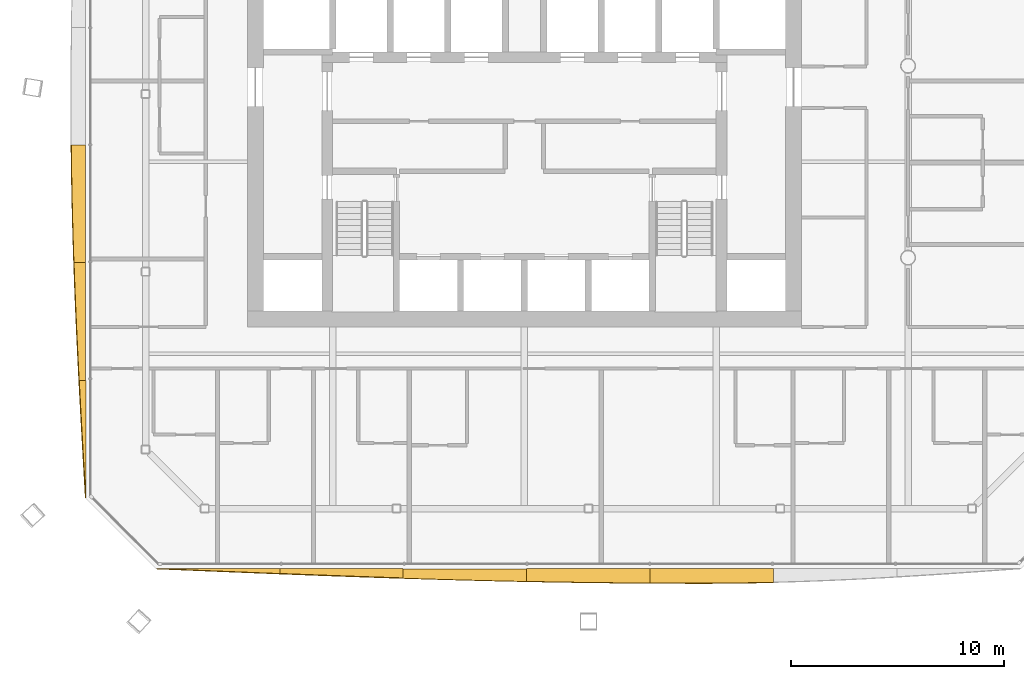
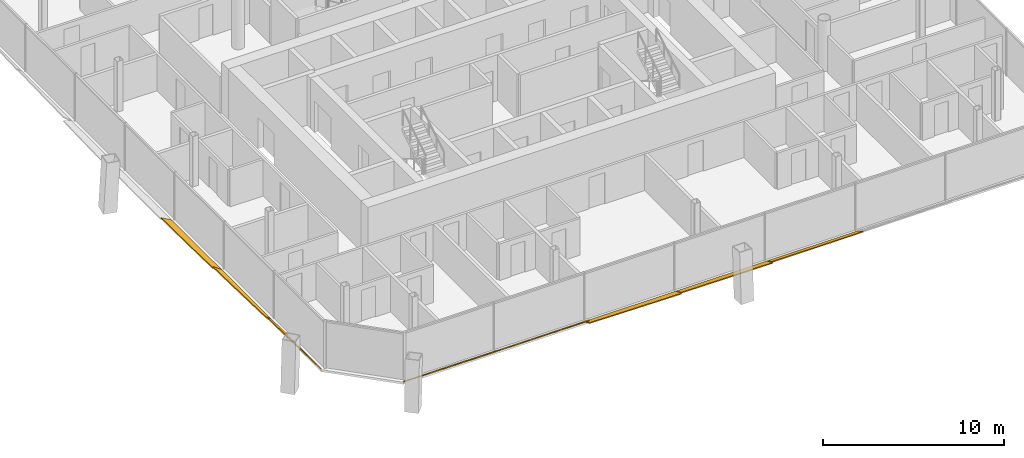
# One storey, part 17 of 21: 8 shading devices.
"""IFC4 building model written with IfcOpenShell, lengths in metres."""

from ifc_helpers import new_model, si_unit, direction, frame, origin, place, context, subcontext, project, spatial, polyline, outline, extrude, material, layer, layer_set, type_object, element, save


model = new_model("IFC4")

# Units and contexts
model_context = context("Model", 3, precision=1e-05, world=origin(), true_north=direction((0.0, 1.0)))
body_context = subcontext(model_context, "Body", "Model", "MODEL_VIEW")
ifc_project = project(units=[si_unit("LENGTHUNIT", "METRE"), si_unit("AREAUNIT", "SQUARE_METRE"), si_unit("VOLUMEUNIT", "CUBIC_METRE"), si_unit("PLANEANGLEUNIT", "RADIAN"), si_unit("MASSUNIT", "GRAM", prefix="KILO")], contexts=[model_context])

# Site, building, storey
site_placement = place(None, origin())
site = spatial("IfcSite", under=ifc_project, at=site_placement, CompositionType="ELEMENT")
building_placement = place(site_placement, origin())
building = spatial("IfcBuilding", under=site, at=building_placement, Name="Tskaro Facet Tower", CompositionType="ELEMENT")
storey_placement = place(building_placement, frame((0.0, 0.0, 128.300048828125)))
storey = spatial("IfcBuildingStorey", under=building, at=storey_placement, Name="L30", CompositionType="ELEMENT", Elevation=128.300048828125)

# Shading devices
ifc_material = material(Name="Bronze anodised aluminium 6063-T6", Category="aluminium")
ifc_layer = layer(ifc_material, 0.06005859375, Name="Bronze anodised aluminium 6063-T6")
ifc_layer_set = layer_set([ifc_layer], Name="Bronze anodised aluminium 6063-T6")
shading_device_type = type_object("IfcShadingDeviceType", Name="Bronze sun blade (FN1)", PredefinedType="USERDEFINED", material=ifc_layer_set)
shading_device_1_placement = place(storey_placement, frame((-17.27001953125, -23.58251953125, 0.049072265625), z_axis=(-7.731573e-06, 0.573672146456, 0.819085018982), x_axis=(0.99999999997, 4.435388e-06, 6.332815e-06)))
element("IfcShadingDevice", 1, at=shading_device_1_placement, inside=storey, type_object=shading_device_type, Name="Fin blade south 1", ObjectType="FIN", PredefinedType="USERDEFINED", context=body_context, shape_type="SweptSolid", body=[
    extrude(outline(polyline([(0.0, 0.0), (5.791503906076899, 0.0), (5.791503906430958, -0.28975131108948715), (5.067626953242028, -0.25486994799511226), (4.3435058585016275, -0.21930852769103054), (3.6196289054690785, -0.1835471354584804), (2.8957519530561484, -0.1472457426926084), (2.171875000179979, -0.11060432132188301), (1.4479980473038097, -0.07396289995115762), (0.7238769533394085, -0.03698144997557881), (0.0, 0.0)])), origin(), (0.0, 0.0, -1.0), 0.06005859375),
])
shading_device_2_placement = place(storey_placement, frame((-11.478515625, -23.578369140625, 0.0458984375), z_axis=(-8.873012e-06, 0.642685446668, 0.766130156411), x_axis=(0.999999999961, 5.702556e-06, 6.797882e-06)))
element("IfcShadingDevice", 2, at=shading_device_2_placement, inside=storey, type_object=shading_device_type, Name="Fin blade south 2", ObjectType="FIN", PredefinedType="USERDEFINED", context=body_context, shape_type="SweptSolid", body=[
    extrude(outline(polyline([(0.0, 0.0), (5.791259765397026, 4.905387827592592e-21), (5.791259766617867, -0.5810459005451845), (5.0673828127442375, -0.5503803692462309), (4.3435058597280065, -0.5188398962083345), (3.6196289073017605, -0.48608053230963616), (2.895751952681047, -0.45247636454058565), (2.1716308582927417, -0.41799725503259216), (1.4477539053868258, -0.38264320378565586), (0.7238769519460817, -0.34660125429500144), (1.0223752376759937e-09, -0.3098412686920384), (0.0, 0.0)])), origin(), (0.0, 0.0, -1.0), 0.06005859375),
])
shading_device_3_placement = place(storey_placement, frame((-5.687255859375, -23.596435546875, 0.056396484375), z_axis=(-5.803365e-06, 0.341907024735, 0.939733784858), x_axis=(0.999999999983, 1.984211e-06, 5.453619e-06)))
element("IfcShadingDevice", 3, at=shading_device_3_placement, inside=storey, type_object=shading_device_type, Name="Fin blade south 3", ObjectType="FIN", PredefinedType="USERDEFINED", context=body_context, shape_type="SweptSolid", body=[
    extrude(outline(polyline([(0.0, 0.0), (5.791503906152474, -1.2263986556864327e-21), (5.791503906235339, -0.6354702367725049), (5.067626952533632, -0.6193258626926215), (4.343749999922609, -0.6019508792501626), (3.6198730470708185, -0.583261813050416), (2.8957519528688396, -0.5634880912869549), (2.1718750003825398, -0.5424837601609181), (1.4479980466866198, -0.5206242006647394), (0.724121094081383, -0.49753403180598504), (-3.584693601943448e-10, -0.47358863457708855), (0.0, 0.0)])), origin(), (0.0, 0.0, -1.0), 0.06005859375),
])
shading_device_4_placement = place(storey_placement, frame((0.104248046875, -23.591552734375, 0.054443359375), z_axis=(-1.4765425e-05, 0.422448442539, 0.906386955543), x_axis=(0.999999999891, 6.237631e-06, 1.3383188e-05)))
element("IfcShadingDevice", 4, at=shading_device_4_placement, inside=storey, type_object=shading_device_type, Name="Fin blade south 4", ObjectType="FIN", PredefinedType="USERDEFINED", context=body_context, shape_type="SweptSolid", body=[
    extrude(outline(polyline([(0.0, 0.0), (5.791503905618675, 0.0), (5.791503906566178, -0.7447988219827847), (5.067626954349187, -0.738899164402226), (4.343505857796519, -0.7318049528298896), (3.619628904471217, -0.7231767523368937), (2.8957519537483107, -0.7130145629232386), (2.171874999314701, -0.7016578195178056), (1.4479980474834846, -0.6887670871917135), (0.7238769528394507, -0.6744605149960012), (-1.6229334840045614e-09, -0.6590625256353141), (0.0, 0.0)])), origin(), (0.0, 0.0, -1.0), 0.06005859375),
])
shading_device_5_placement = place(storey_placement, frame((5.895751953125, -23.5869140625, 0.052001953125), z_axis=(1.386661e-05, 0.499887675184, 0.866090244725), x_axis=(0.999999999904, -6.931747e-06, -1.2009735e-05)))
element("IfcShadingDevice", 5, at=shading_device_5_placement, inside=storey, type_object=shading_device_type, Name="Fin blade south 5", ObjectType="FIN", PredefinedType="USERDEFINED", context=body_context, shape_type="SweptSolid", body=[
    extrude(outline(polyline([(0.0, 0.0), (5.7915039056931965, 0.0), (5.791503907651023, -0.740156936240632), (5.06738281255307, -0.7585386739289425), (4.343505859083855, -0.772650308406998), (3.619628904926082, -0.7822803918611247), (2.8957519530118137, -0.7873068814018619), (2.455566405391968, -0.7881853106218051), (2.1716308585442663, -0.7881853106218051), (1.4477539058234483, -0.7867619428850535), (0.7238769534372176, -0.7839152074115502), (-3.067469361775889e-10, -0.7794336563876215), (0.0, 0.0)])), origin(), (0.0, 0.0, -1.0), 0.06005859375),
])
shading_device_6_placement = place(storey_placement, frame((-20.5869140625, -3.715576171875, 0.052001953125), z_axis=(0.499878397483, 7.862316e-06, 0.866095599613), x_axis=(3.930202e-06, -0.999999999969, 6.809517e-06)))
element("IfcShadingDevice", 6, at=shading_device_6_placement, inside=storey, type_object=shading_device_type, Name="Fin blade west 5", ObjectType="FIN", PredefinedType="USERDEFINED", context=body_context, shape_type="SweptSolid", body=[
    extrude(outline(polyline([(0.0, 0.0), (5.5180664060794475, -4.673984051230883e-21), (5.518066405823534, -0.6325344361208136), (4.828369140758219, -0.658789398091361), (4.138671875056681, -0.6827425639719165), (3.448730468093926, -0.7043939337624806), (2.759033202782421, -0.7238655480874421), (2.069335937794214, -0.7408239172014064), (1.379638671466826, -0.7551470004799841), (0.6896972665002237, -0.7670788791719536), (-8.430469321751484e-10, -0.7762534314041474), (0.0, 0.0)])), origin(), (0.0, 0.0, -1.0), 0.06005859375),
])
shading_device_7_placement = place(storey_placement, frame((-20.58251953125, -9.233642578125, 0.049072265625), z_axis=(0.573566516975, -7.498013e-06, 0.819158989787), x_axis=(-4.300609e-06, -0.999999999972, -6.142065e-06)))
element("IfcShadingDevice", 7, at=shading_device_7_placement, inside=storey, type_object=shading_device_type, Name="Fin blade west 6", ObjectType="FIN", PredefinedType="USERDEFINED", context=body_context, shape_type="SweptSolid", body=[
    extrude(outline(polyline([(0.0, 0.0), (5.51831054671988, 0.0), (5.518310546326722, -0.3740745851188595), (4.8283691413366565, -0.4168762321480987), (4.138671875170446, -0.4580578465870465), (3.4489746082530495, -0.49781941842344946), (2.7590332029585314, -0.5358808858814328), (2.069335936937443, -0.571982299873441), (1.3796386721142708, -0.606183619499283), (0.6899414069894888, -0.6386248756468964), (-7.122295304057287e-10, -0.6685660674651038), (0.0, 0.0)])), origin(), (0.0, 0.0, -1.0), 0.06005859375),
])
shading_device_8_placement = place(storey_placement, frame((-20.578369140625, -14.751953125, 0.0458984375), z_axis=(0.642854770307, 8.748632e-06, 0.7659880836), x_axis=(5.6241e-06, -0.999999999962, 6.701348e-06)))
element("IfcShadingDevice", 8, at=shading_device_8_placement, inside=storey, type_object=shading_device_type, Name="Fin blade west 7", ObjectType="FIN", PredefinedType="USERDEFINED", context=body_context, shape_type="SweptSolid", body=[
    extrude(outline(polyline([(0.0, 0.0), (5.518066406038828, -4.673984051230883e-21), (4.828369140771371, -0.05198417020678365), (4.138427734615924, -0.10362438463867452), (3.4487304688224674, -0.15492064329567262), (2.7590332025030104, -0.20552899040288514), (2.0690917966686344, -0.2556063729257252), (1.3793945309332487, -0.30499584389877965), (0.6896972657819346, -0.35316643873767606), (-4.213797179497576e-10, -0.39996121047700134), (0.0, 0.0)])), origin(), (0.0, 0.0, -1.0), 0.06005859375),
])

save(model, "model.ifc")
